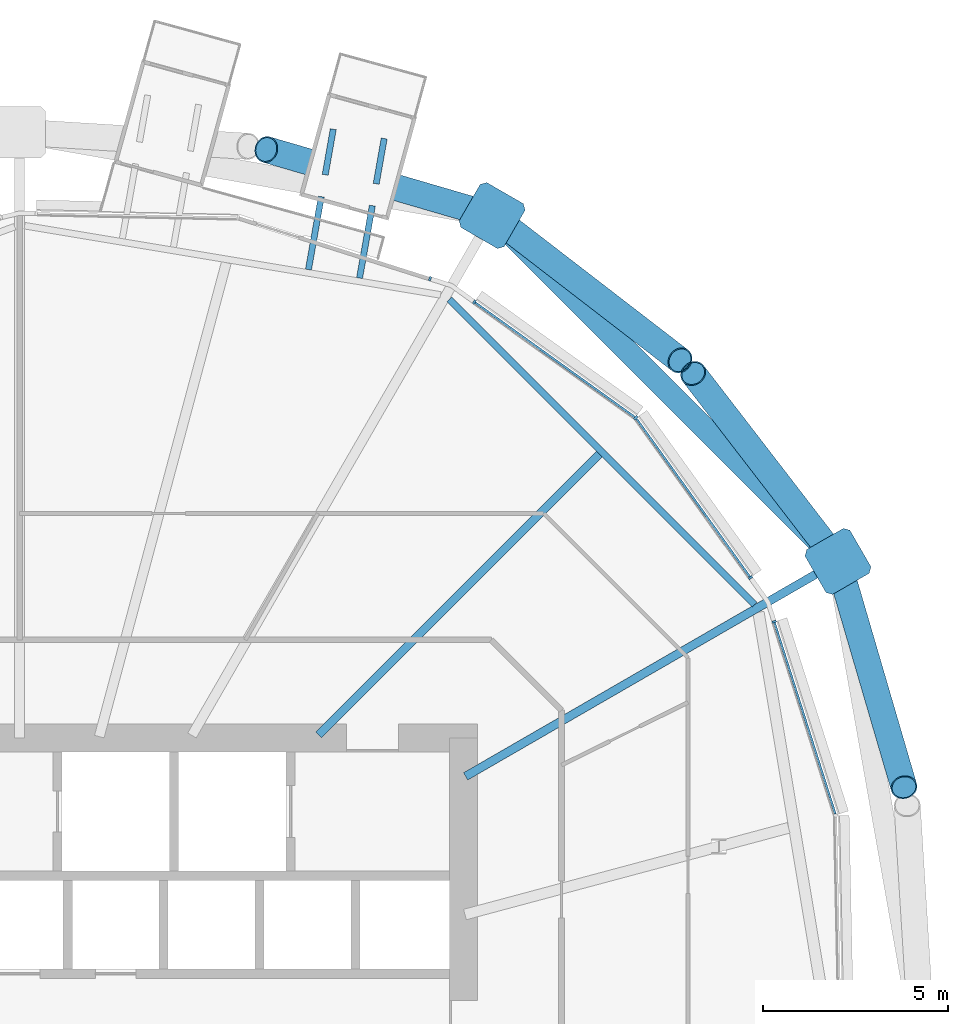
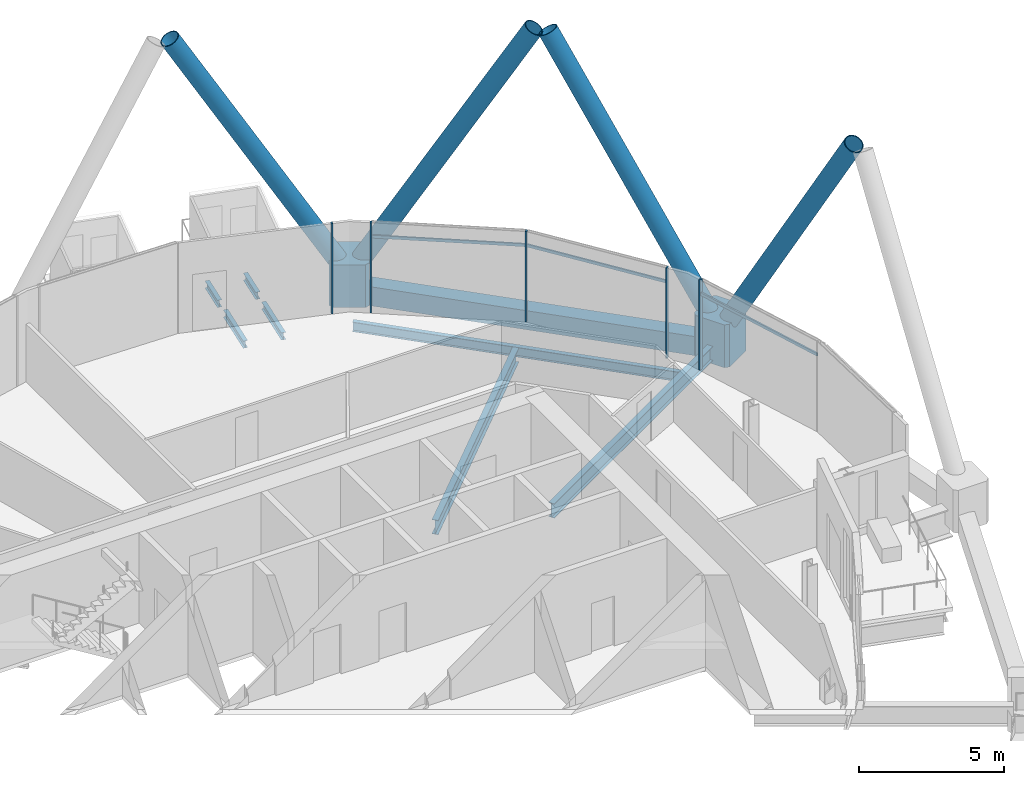
# One storey, part 20 of 38: 14 members, 8 beams, 1 element without a shape of its own.
"""IFC4 building model written with IfcOpenShell, lengths in metres."""

from ifc_helpers import new_model, si_unit, direction, frame, origin, origin_2d, place, context, subcontext, project, spatial, polyline, rectangle, hollow_rectangle, hollow_circle, i_section, outline, extrude, material, material_profile, profile_set, type_object, element, aggregate, save


model = new_model("IFC4")

# Units and contexts
model_context = context("Model", 3, precision=1e-05, world=origin(), true_north=direction((0.0, 1.0)))
body_context = subcontext(model_context, "Body", "Model", "MODEL_VIEW")
ifc_project = project(units=[si_unit("LENGTHUNIT", "METRE"), si_unit("AREAUNIT", "SQUARE_METRE"), si_unit("VOLUMEUNIT", "CUBIC_METRE"), si_unit("PLANEANGLEUNIT", "RADIAN"), si_unit("MASSUNIT", "GRAM", prefix="KILO")], contexts=[model_context])

# Site, building, storey
site_placement = place(None, origin())
site = spatial("IfcSite", under=ifc_project, at=site_placement, CompositionType="ELEMENT")
building_placement = place(site_placement, origin())
building = spatial("IfcBuilding", under=site, at=building_placement, Name="Rimbun Link Towers", CompositionType="ELEMENT")
storey_placement = place(building_placement, frame((0.0, 0.0, 93.0)))
storey = spatial("IfcBuildingStorey", under=building, at=storey_placement, Name="L22", CompositionType="ELEMENT", Elevation=93.0)

# Curtain wall, members
ifc_material_1 = material(Name="Aluminium 6063-T6 and low-iron glass", Category="aluminium")
curtain_wall_type = type_object("IfcCurtainWallType", Name="CW1-Z2 unitised vision wall (zone 2)", PredefinedType="NOTDEFINED", material=ifc_material_1)
curtain_wall_placement = place(storey_placement, origin())
curtain_wall = element("IfcCurtainWall", 1, at=curtain_wall_placement, inside=storey, type_object=curtain_wall_type, Name="CW1 L22 T2", PredefinedType="NOTDEFINED")
ifc_material_2 = material(Name="Aluminium 6063-T6", Category="aluminium")
ifc_material_profile_1 = material_profile(ifc_material_2, rectangle(XDim=0.1201171875, YDim=0.06005859375, at=origin_2d()), Name="MULLION 60X120")
ifc_profile_set_1 = profile_set([ifc_material_profile_1], Name="Aluminium 6063-T6")
member_type_1 = type_object("IfcMemberType", Name="CW1 mullion 60X120", PredefinedType="MULLION", material=ifc_profile_set_1)
member_1_placement = place(storey_placement, frame((44.042724609375, 19.787109375, 0.0), z_axis=(0.0, 0.0, 1.0), x_axis=(0.583001588402, 0.812471013588, 0.0)))
member_1 = element("IfcMember", 2, at=member_1_placement, type_object=member_type_1, Name="CW1 mullion", PredefinedType="MULLION", context=body_context, shape_type="SweptSolid", body=[
    extrude(rectangle(XDim=0.1201171875, YDim=0.06005859375, at=origin_2d()), origin(), (0.0, 0.0, 1.0), 3.800048828125),
])
member_2_placement = place(storey_placement, frame((48.405517578125, 16.655517578125, 0.0), z_axis=(0.0, 0.0, 1.0), x_axis=(0.707106781187, 0.707106781187, 0.0)))
member_2 = element("IfcMember", 3, at=member_2_placement, type_object=member_type_1, Name="CW1 mullion", PredefinedType="MULLION", context=body_context, shape_type="SweptSolid", body=[
    extrude(rectangle(XDim=0.1201171875, YDim=0.06005859375, at=origin_2d()), origin(), (0.0, 0.0, 1.0), 3.800048828125),
])
member_3_placement = place(storey_placement, frame((42.8447265625, 20.41455078125, 0.0), z_axis=(0.0, 0.0, 1.0), x_axis=(0.30306620433, 0.952969504125, 0.0)))
member_3 = element("IfcMember", 4, at=member_3_placement, type_object=member_type_1, Name="CW1 mullion", PredefinedType="MULLION", context=body_context, shape_type="SweptSolid", body=[
    extrude(rectangle(XDim=0.1201171875, YDim=0.06005859375, at=origin_2d()), origin(), (0.0, 0.0, 1.0), 3.800048828125),
])
member_4_placement = place(storey_placement, frame((52.1494140625, 11.142333984375, 0.0), z_axis=(0.0, 0.0, 1.0), x_axis=(0.952969504125, 0.30306620433, 0.0)))
member_4 = element("IfcMember", 5, at=member_4_placement, type_object=member_type_1, Name="CW1 mullion", PredefinedType="MULLION", context=body_context, shape_type="SweptSolid", body=[
    extrude(rectangle(XDim=0.1201171875, YDim=0.06005859375, at=origin_2d()), origin(), (0.0, 0.0, 1.0), 3.800048828125),
])
member_5_placement = place(storey_placement, frame((51.5078125, 12.333251953125, 0.0), z_axis=(0.0, 0.0, 1.0), x_axis=(0.812471013588, 0.583001588402, 0.0)))
member_5 = element("IfcMember", 6, at=member_5_placement, type_object=member_type_1, Name="CW1 mullion", PredefinedType="MULLION", context=body_context, shape_type="SweptSolid", body=[
    extrude(rectangle(XDim=0.1201171875, YDim=0.06005859375, at=origin_2d()), origin(), (0.0, 0.0, 1.0), 3.800048828125),
])
ifc_material_3 = material(Name="Aluminium 6063-T6", Category="aluminium")
ifc_material_profile_2 = material_profile(ifc_material_3, rectangle(XDim=0.06005859375, YDim=0.1201171875, at=origin_2d()), Name="TRANSOM 60X120")
ifc_profile_set_2 = profile_set([ifc_material_profile_2], Name="Aluminium 6063-T6")
member_type_2 = type_object("IfcMemberType", Name="CW1 transom 60X120", PredefinedType="USERDEFINED", material=ifc_profile_set_2)
member_6_placement = place(storey_placement, frame((44.06591796875, 19.767822265625, 3.199951171875), z_axis=(0.812489874561, -0.582975302852, 0.0), x_axis=(0.582975302852, 0.812489874561, 0.0)))
member_6 = element("IfcMember", 7, at=member_6_placement, type_object=member_type_2, Name="CW1 transom", ObjectType="TRANSOM", PredefinedType="USERDEFINED", context=body_context, shape_type="SweptSolid", body=[
    extrude(rectangle(XDim=0.06005859375, YDim=0.1201171875, at=origin_2d()), origin(), (0.0, 0.0, 1.0), 5.300537109375),
])
member_7_placement = place(storey_placement, frame((52.156494140625, 11.113037109375, 3.199951171875), z_axis=(0.303090364148, -0.952961820411, 0.0), x_axis=(0.952961820411, 0.303090364148, 0.0)))
member_7 = element("IfcMember", 8, at=member_7_placement, type_object=member_type_2, Name="CW1 transom", ObjectType="TRANSOM", PredefinedType="USERDEFINED", context=body_context, shape_type="SweptSolid", body=[
    extrude(rectangle(XDim=0.06005859375, YDim=0.1201171875, at=origin_2d()), origin(), (0.0, 0.0, 1.0), 5.42578125),
])
member_8_placement = place(storey_placement, frame((48.427734375, 16.62255859375, 3.199951171875), z_axis=(0.582978612422, -0.812487499878, 0.0), x_axis=(0.812487499878, 0.582978612422, 0.0)))
member_8 = element("IfcMember", 9, at=member_8_placement, type_object=member_type_2, Name="CW1 transom", ObjectType="TRANSOM", PredefinedType="USERDEFINED", context=body_context, shape_type="SweptSolid", body=[
    extrude(rectangle(XDim=0.06005859375, YDim=0.1201171875, at=origin_2d()), origin(), (0.0, 0.0, 1.0), 5.250732421875),
])
aggregate(curtain_wall, [member_1, member_2, member_3, member_4, member_5, member_6, member_7, member_8])

# Beams
ifc_material_4 = material(Name="Steel S355J2", Category="steel")
ifc_material_profile_3 = material_profile(ifc_material_4, i_section(OverallWidth=0.1650390625, OverallDepth=0.303466796875, WebThickness=0.006103515625, FlangeThickness=0.01025390625, at=origin_2d()), Name="UB 305x165x40")
ifc_profile_set_3 = profile_set([ifc_material_profile_3], Name="Steel S355J2")
beam_type_1 = type_object("IfcBeamType", Name="Capsule bracket beam UB 305x165x40", PredefinedType="BEAM", material=ifc_profile_set_3)
beam_1_placement = place(storey_placement, frame((39.55810546875, 20.662109375, -0.311767578125), z_axis=(0.173820102075, 0.984777422626, 0.0), x_axis=(-0.984777422626, 0.173820102075, 0.0)))
element("IfcBeam", 10, at=beam_1_placement, inside=storey, type_object=beam_type_1, Name="Capsule D222.02 bracket beam 1", PredefinedType="BEAM", context=body_context, shape_type="SweptSolid", body=[
    extrude(i_section(OverallWidth=0.1650390625, OverallDepth=0.303466796875, WebThickness=0.006103515625, FlangeThickness=0.01025390625, at=origin_2d()), origin(), (0.0, 0.0, 1.0), 2.0029296875),
])
beam_2_placement = place(storey_placement, frame((40.0107421875, 23.225341796875, -0.311767578125), z_axis=(0.173785333909, 0.984783558818, 0.0), x_axis=(-0.984783558818, 0.173785333909, 0.0)))
element("IfcBeam", 11, at=beam_2_placement, inside=storey, type_object=beam_type_1, Name="Capsule D222.02 bracket beam 2", PredefinedType="BEAM", context=body_context, shape_type="SweptSolid", body=[
    extrude(i_section(OverallWidth=0.1650390625, OverallDepth=0.303466796875, WebThickness=0.006103515625, FlangeThickness=0.01025390625, at=origin_2d()), origin(), (0.0, 0.0, 1.0), 1.251708984375),
])
beam_3_placement = place(storey_placement, frame((40.939208984375, 20.43212890625, -0.311767578125), z_axis=(0.173785333909, 0.984783558818, 0.0), x_axis=(-0.984783558818, 0.173785333909, 0.0)))
element("IfcBeam", 12, at=beam_3_placement, inside=storey, type_object=beam_type_1, Name="Capsule D222.02 bracket beam 3", PredefinedType="BEAM", context=body_context, shape_type="SweptSolid", body=[
    extrude(i_section(OverallWidth=0.1650390625, OverallDepth=0.303466796875, WebThickness=0.006103515625, FlangeThickness=0.01025390625, at=origin_2d()), origin(), (0.0, 0.0, 1.0), 1.9892578125),
])
beam_4_placement = place(storey_placement, frame((41.389404296875, 22.98193359375, -0.311767578125), z_axis=(0.173785333909, 0.984783558818, 0.0), x_axis=(-0.984783558818, 0.173785333909, 0.0)))
element("IfcBeam", 13, at=beam_4_placement, inside=storey, type_object=beam_type_1, Name="Capsule D222.02 bracket beam 4", PredefinedType="BEAM", context=body_context, shape_type="SweptSolid", body=[
    extrude(i_section(OverallWidth=0.1650390625, OverallDepth=0.303466796875, WebThickness=0.006103515625, FlangeThickness=0.01025390625, at=origin_2d()), origin(), (0.0, 0.0, 1.0), 1.2431640625),
])

# Members
ifc_material_5 = material(Name="Steel S460NH", Category="steel")
ifc_material_profile_4 = material_profile(ifc_material_5, hollow_circle(Radius=0.355712890625, WallThickness=0.031982421875, at=origin_2d()), Name="Diagrid diagonal CHS 711x32")
ifc_profile_set_4 = profile_set([ifc_material_profile_4], Name="Steel S460NH")
member_type_3 = type_object("IfcMemberType", Name="Diagrid diagonal CHS 711x32", PredefinedType="BRACE", material=ifc_profile_set_4)
member_9_placement = place(storey_placement, frame((44.72314453125, 21.969970703125, 0.431640625), z_axis=(0.399893199413, -0.308150171219, 0.86320849222), x_axis=(0.610382561748, 0.792106765729, 0.0)))
element("IfcMember", 14, at=member_9_placement, inside=storey, type_object=member_type_3, Name="Diagrid diagonal T2 L22-L25 01a", PredefinedType="BRACE", context=body_context, shape_type="SweptSolid", body=[
    extrude(hollow_circle(Radius=0.355712890625, WallThickness=0.031982421875, at=origin_2d()), origin(), (0.0, 0.0, 1.0), 12.20654296875),
])
for number, where, z_axis, x_axis, name in (
    (15, (44.282470703125, 22.1943359375, 0.4326171875), (-0.481649353895, 0.14081849139, 0.864976330529), (-0.280619645709, -0.959819052969, 0.0), "Diagrid diagonal T2 L22-L25 01b"),
    (16, (53.9443359375, 12.532470703125, 0.4326171875), (0.14081849139, -0.481649353895, 0.864976330529), (0.959819052969, 0.280619645709, 0.0), "Diagrid diagonal T2 L22-L25 23a"),
):
    element("IfcMember", number, at=place(storey_placement, frame(where, z_axis=z_axis, x_axis=x_axis)), inside=storey, type_object=member_type_3, Name=name, PredefinedType="BRACE", context=body_context, shape_type="SweptSolid", body=[
        extrude(hollow_circle(Radius=0.355712890625, WallThickness=0.031982421875, at=origin_2d()), origin(), (0.0, 0.0, 1.0), 12.179443359375),
    ])
member_10_placement = place(storey_placement, frame((53.719970703125, 12.97314453125, 0.431640625), z_axis=(-0.308150171219, 0.399893199413, 0.86320849222), x_axis=(-0.792106765729, -0.610382561748, 0.0)))
element("IfcMember", 17, at=member_10_placement, inside=storey, type_object=member_type_3, Name="Diagrid diagonal T2 L22-L25 23b", PredefinedType="BRACE", context=body_context, shape_type="SweptSolid", body=[
    extrude(hollow_circle(Radius=0.355712890625, WallThickness=0.031982421875, at=origin_2d()), origin(), (0.0, 0.0, 1.0), 12.20654296875),
])
ifc_material_6 = material(Name="Cast steel G20Mn5+QT, Rp0.2 300 MPa", Category="steel")
ifc_material_profile_5 = material_profile(ifc_material_6, outline(polyline([(0.699951171875, -0.570068359375), (0.699951171875, 0.570068359375), (0.570068359375, 0.699951171875), (-0.570068359375, 0.699951171875), (-0.699951171875, 0.570068359375), (-0.699951171875, -0.570068359375), (-0.570068359375, -0.699951171875), (0.570068359375, -0.699951171875), (0.699951171875, -0.570068359375)])), Name="NODE 1400x1400")
ifc_profile_set_5 = profile_set([ifc_material_profile_5], Name="Cast steel G20Mn5+QT, Rp0.2 300 MPa")
member_type_4 = type_object("IfcMemberType", Name="Diagrid node cast 1400", PredefinedType="USERDEFINED", material=ifc_profile_set_5)
for number, where, z_axis, x_axis, name in (
    (18, (44.523193359375, 22.1240234375, -0.89990234375), (0.0, 0.0, 1.0), (0.5, 0.866025403784, 0.0), "Diagrid node L22 01"),
    (19, (53.8740234375, 12.773193359375, -0.89990234375), (0.0, 0.0, 1.0), (0.866025403784, 0.5, 0.0), "Diagrid node L22 23"),
):
    element("IfcMember", number, at=place(storey_placement, frame(where, z_axis=z_axis, x_axis=x_axis)), inside=storey, type_object=member_type_4, Name=name, ObjectType="Diagrid node", PredefinedType="USERDEFINED", context=body_context, shape_type="SweptSolid", body=[
        extrude(outline(polyline([(0.699951171875, -0.570068359375), (0.699951171875, 0.570068359375), (0.570068359375, 0.699951171875), (-0.570068359375, 0.699951171875), (-0.699951171875, 0.570068359375), (-0.699951171875, -0.570068359375), (-0.570068359375, -0.699951171875), (0.570068359375, -0.699951171875), (0.699951171875, -0.570068359375)])), origin(), (0.0, 0.0, 1.0), 1.7998046875),
    ])

# Beams
ifc_material_7 = material(Name="Steel S355J2", Category="steel")
ifc_material_profile_6 = material_profile(ifc_material_7, hollow_rectangle(XDim=0.60009765625, YDim=0.800048828125, WallThickness=0.0400390625, at=origin_2d()), Name="Exoskeleton ring girder BOX 600x800x40")
ifc_profile_set_6 = profile_set([ifc_material_profile_6], Name="Steel S355J2")
beam_type_2 = type_object("IfcBeamType", Name="Exoskeleton ring girder BOX 600x800x40", PredefinedType="BEAM", material=ifc_profile_set_6)
beam_5_placement = place(storey_placement, frame((53.37890625, 13.268310546875, -0.56005859375), z_axis=(-0.707106781187, 0.707106781187, 0.0), x_axis=(-0.707106781187, -0.707106781187, 0.0)))
element("IfcBeam", 20, at=beam_5_placement, inside=storey, type_object=beam_type_2, Name="Exoskeleton ring girder L22 11", PredefinedType="BEAM", context=body_context, shape_type="SweptSolid", body=[
    extrude(hollow_rectangle(XDim=0.60009765625, YDim=0.800048828125, WallThickness=0.0400390625, at=origin_2d()), origin(), (0.0, 0.0, 1.0), 11.82373046875),
])
ifc_material_8 = material(Name="Steel S355J2", Category="steel")
ifc_material_profile_7 = material_profile(ifc_material_8, i_section(OverallWidth=0.177978515625, OverallDepth=0.406494140625, WebThickness=0.0078125, FlangeThickness=0.0126953125, at=origin_2d()), Name="UB 406x178x60")
ifc_profile_set_7 = profile_set([ifc_material_profile_7], Name="Steel S355J2")
beam_type_3 = type_object("IfcBeamType", Name="UB 406x178x60", PredefinedType="BEAM", material=ifc_profile_set_7)
beam_6_placement = place(storey_placement, frame((51.619873046875, 11.6044921875, -0.36328125), z_axis=(-0.707117242352, 0.707096319866, 0.0), x_axis=(-0.707096319866, -0.707117242352, 0.0)))
element("IfcBeam", 21, at=beam_6_placement, inside=storey, type_object=beam_type_3, Name="Edge beam T2 L22 23-01", PredefinedType="BEAM", context=body_context, shape_type="SweptSolid", body=[
    extrude(i_section(OverallWidth=0.177978515625, OverallDepth=0.406494140625, WebThickness=0.0078125, FlangeThickness=0.0126953125, at=origin_2d()), origin(), (0.0, 0.0, 1.0), 11.668701171875),
])
ifc_material_9 = material(Name="Steel S355J2", Category="steel")
ifc_material_profile_8 = material_profile(ifc_material_9, i_section(OverallWidth=0.2275390625, OverallDepth=0.6025390625, WebThickness=0.010498046875, FlangeThickness=0.014892578125, at=origin_2d()), Name="UB 610x229x101")
ifc_profile_set_8 = profile_set([ifc_material_profile_8], Name="Steel S355J2")
beam_type_4 = type_object("IfcBeamType", Name="UB 610x229x101", PredefinedType="BEAM", material=ifc_profile_set_8)
beam_7_placement = place(storey_placement, frame((39.831298828125, 8.081298828125, -0.461181640625), z_axis=(0.707106781187, 0.707106781187, 0.0), x_axis=(-0.707106781187, 0.707106781187, 0.0)))
element("IfcBeam", 22, at=beam_7_placement, inside=storey, type_object=beam_type_4, Name="Radial beam T2 L22 00", PredefinedType="BEAM", context=body_context, shape_type="SweptSolid", body=[
    extrude(i_section(OverallWidth=0.2275390625, OverallDepth=0.6025390625, WebThickness=0.010498046875, FlangeThickness=0.014892578125, at=origin_2d()), origin(), (0.0, 0.0, 1.0), 10.737060546875),
])
beam_8_placement = place(storey_placement, frame((43.807861328125, 6.961669921875, -0.461181640625), z_axis=(0.866030246746, 0.49999161165, 0.0), x_axis=(-0.49999161165, 0.866030246746, 0.0)))
element("IfcBeam", 23, at=beam_8_placement, inside=storey, type_object=beam_type_4, Name="Radial beam T2 L22 23", PredefinedType="BEAM", context=body_context, shape_type="SweptSolid", body=[
    extrude(i_section(OverallWidth=0.2275390625, OverallDepth=0.6025390625, WebThickness=0.010498046875, FlangeThickness=0.014892578125, at=origin_2d()), origin(), (0.0, 0.0, 1.0), 11.123291015625),
])

save(model, "model.ifc")
